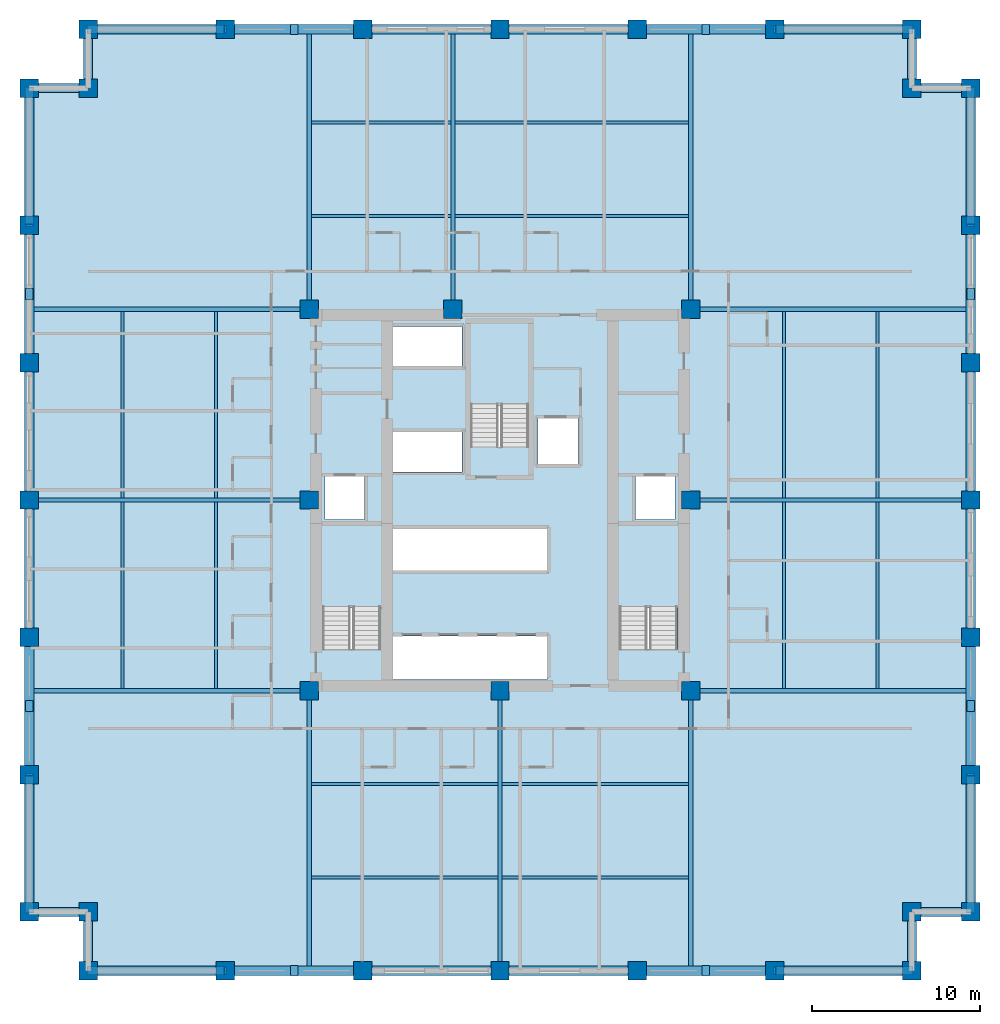
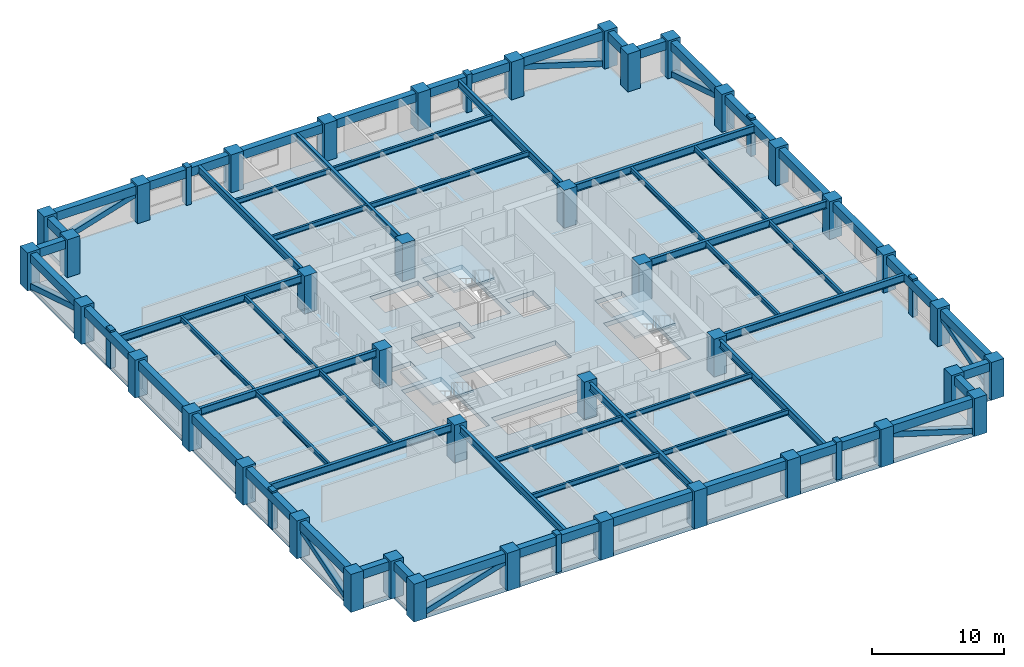
# One storey, part 1 of 8: 60 beams, 40 columns, 16 members, 4 slabs, 3 elements without a shape of their own.
"""IFC4 building model written with IfcOpenShell, lengths in metres."""

from ifc_helpers import new_model, si_unit, direction, frame, origin, origin_2d, place, context, subcontext, project, spatial, polyline, rectangle, hollow_rectangle, i_section, outline, extrude, material, layer, layer_set, material_profile, profile_set, type_object, element, aggregate, save


model = new_model("IFC4")

# Units and contexts
model_context = context("Model", 3, precision=1e-05, world=origin(), true_north=direction((0.0, 1.0)))
body_context = subcontext(model_context, "Body", "Model", "MODEL_VIEW")
ifc_project = project(units=[si_unit("LENGTHUNIT", "METRE"), si_unit("AREAUNIT", "SQUARE_METRE"), si_unit("VOLUMEUNIT", "CUBIC_METRE"), si_unit("PLANEANGLEUNIT", "RADIAN"), si_unit("MASSUNIT", "GRAM", prefix="KILO")], contexts=[model_context])

# Site, building, storey
site_placement = place(None, origin())
site = spatial("IfcSite", under=ifc_project, at=site_placement, CompositionType="ELEMENT")
building_placement = place(site_placement, origin())
building = spatial("IfcBuilding", under=site, at=building_placement, Name="Nhamokura Convention Tower", CompositionType="ELEMENT")
storey_placement = place(building_placement, frame((0.0, 0.0, 42.35009765625)))
storey = spatial("IfcBuildingStorey", under=building, at=storey_placement, Name="L08", CompositionType="ELEMENT", Elevation=42.35009765625)

# Columns
ifc_material_1 = material(Name="Concrete C60/75", Category="concrete")
ifc_material_profile_1 = material_profile(ifc_material_1, rectangle(XDim=1.10009765625, YDim=1.10009765625, at=origin_2d()))
ifc_profile_set_1 = profile_set([ifc_material_profile_1], Name="Concrete C60/75")
column_type = type_object("IfcColumnType", Name="TubeColumn_Z1_1100", PredefinedType="COLUMN", material=ifc_profile_set_1)
for number, where, z_axis, x_axis, name in (
    (1, (20.64990234375, 20.64990234375, 0.0), (0.0, 0.0, 1.0), (1.0, 0.0, 0.0), "L08 Core Column CC-SW"),
    (2, (32.0, 20.64990234375, 0.0), (0.0, 0.0, 1.0), (1.0, 0.0, 0.0), "L08 Core Column CC-S"),
    (3, (43.35009765625, 20.64990234375, 0.0), (0.0, 0.0, 1.0), (1.0, 0.0, 0.0), "L08 Core Column CC-SE"),
    (4, (43.35009765625, 32.0, 0.0), (0.0, 0.0, 1.0), (1.0, 0.0, 0.0), "L08 Core Column CC-E"),
    (5, (43.35009765625, 43.35009765625, 0.0), (0.0, 0.0, 1.0), (1.0, 0.0, 0.0), "L08 Core Column CC-NE"),
    (6, (29.199951171875, 43.35009765625, 0.0), (0.0, 0.0, 1.0), (1.0, 0.0, 0.0), "L08 Core Column CC-N"),
    (7, (20.64990234375, 43.35009765625, 0.0), (0.0, 0.0, 1.0), (1.0, 0.0, 0.0), "L08 Core Column CC-NW"),
    (8, (20.64990234375, 32.0, 0.0), (0.0, 0.0, 1.0), (1.0, 0.0, 0.0), "L08 Core Column CC-W"),
    (9, (7.5, 4.0, 0.0), (0.0, 0.0, 1.0), (1.0, 0.0, 0.0), "L08 Perimeter Tube Column SW1"),
    (10, (7.5, 7.5, 0.0), (0.0, 0.0, 1.0), (1.0, 0.0, 0.0), "L08 Perimeter Tube Column SW0"),
    (11, (4.0, 7.5, 0.0), (0.0, 0.0, 1.0), (1.0, 0.0, 0.0), "L08 Perimeter Tube Column SW2"),
    (12, (56.5, 4.0, 0.0), (0.0, 0.0, 1.0), (1.0, 0.0, 0.0), "L08 Perimeter Tube Column SE1"),
    (13, (56.5, 7.5, 0.0), (0.0, 0.0, 1.0), (1.0, 0.0, 0.0), "L08 Perimeter Tube Column SE0"),
    (14, (60.0, 7.5, 0.0), (0.0, 0.0, 1.0), (1.0, 0.0, 0.0), "L08 Perimeter Tube Column SE2"),
    (15, (60.0, 56.5, 0.0), (0.0, 0.0, 1.0), (1.0, 0.0, 0.0), "L08 Perimeter Tube Column NE1"),
    (16, (56.5, 56.5, 0.0), (0.0, 0.0, 1.0), (1.0, 0.0, 0.0), "L08 Perimeter Tube Column NE0"),
    (17, (56.5, 60.0, 0.0), (0.0, 0.0, 1.0), (1.0, 0.0, 0.0), "L08 Perimeter Tube Column NE2"),
    (18, (7.5, 60.0, 0.0), (0.0, 0.0, 1.0), (1.0, 0.0, 0.0), "L08 Perimeter Tube Column NW1"),
    (19, (7.5, 56.5, 0.0), (0.0, 0.0, 1.0), (1.0, 0.0, 0.0), "L08 Perimeter Tube Column NW0"),
    (20, (4.0, 56.5, 0.0), (0.0, 0.0, 1.0), (1.0, 0.0, 0.0), "L08 Perimeter Tube Column NW2"),
    (21, (15.666748046875, 4.0, 0.0), (0.0, 0.0, 1.0), (1.0, 0.0, 0.0), "L08 Perimeter Tube Column S1"),
    (22, (15.666748046875, 60.0, 0.0), (0.0, 0.0, 1.0), (1.0, 0.0, 0.0), "L08 Perimeter Tube Column N1"),
    (23, (4.0, 15.666748046875, 0.0), (0.0, 0.0, 1.0), (1.0, 0.0, 0.0), "L08 Perimeter Tube Column W1"),
    (24, (60.0, 15.666748046875, 0.0), (0.0, 0.0, 1.0), (1.0, 0.0, 0.0), "L08 Perimeter Tube Column E1"),
    (25, (23.833251953125, 4.0, 0.0), (0.0, 0.0, 1.0), (1.0, 0.0, 0.0), "L08 Perimeter Tube Column S2"),
    (26, (23.833251953125, 60.0, 0.0), (0.0, 0.0, 1.0), (1.0, 0.0, 0.0), "L08 Perimeter Tube Column N2"),
    (27, (4.0, 23.833251953125, 0.0), (0.0, 0.0, 1.0), (1.0, 0.0, 0.0), "L08 Perimeter Tube Column W2"),
    (28, (60.0, 23.833251953125, 0.0), (0.0, 0.0, 1.0), (1.0, 0.0, 0.0), "L08 Perimeter Tube Column E2"),
    (29, (32.0, 4.0, 0.0), (0.0, 0.0, 1.0), (1.0, 0.0, 0.0), "L08 Perimeter Tube Column S3"),
    (30, (32.0, 60.0, 0.0), (0.0, 0.0, 1.0), (1.0, 0.0, 0.0), "L08 Perimeter Tube Column N3"),
    (31, (4.0, 32.0, 0.0), (0.0, 0.0, 1.0), (1.0, 0.0, 0.0), "L08 Perimeter Tube Column W3"),
    (32, (60.0, 32.0, 0.0), (0.0, 0.0, 1.0), (1.0, 0.0, 0.0), "L08 Perimeter Tube Column E3"),
    (33, (40.166748046875, 4.0, 0.0), (0.0, 0.0, 1.0), (1.0, 0.0, 0.0), "L08 Perimeter Tube Column S4"),
    (34, (40.166748046875, 60.0, 0.0), (0.0, 0.0, 1.0), (1.0, 0.0, 0.0), "L08 Perimeter Tube Column N4"),
    (35, (4.0, 40.166748046875, 0.0), (0.0, 0.0, 1.0), (1.0, 0.0, 0.0), "L08 Perimeter Tube Column W4"),
    (36, (60.0, 40.166748046875, 0.0), (0.0, 0.0, 1.0), (1.0, 0.0, 0.0), "L08 Perimeter Tube Column E4"),
    (37, (48.333251953125, 4.0, 0.0), (0.0, 0.0, 1.0), (1.0, 0.0, 0.0), "L08 Perimeter Tube Column S5"),
    (38, (48.333251953125, 60.0, 0.0), (0.0, 0.0, 1.0), (1.0, 0.0, 0.0), "L08 Perimeter Tube Column N5"),
    (39, (4.0, 48.333251953125, 0.0), (0.0, 0.0, 1.0), (1.0, 0.0, 0.0), "L08 Perimeter Tube Column W5"),
    (40, (60.0, 48.333251953125, 0.0), (0.0, 0.0, 1.0), (1.0, 0.0, 0.0), "L08 Perimeter Tube Column E5"),
):
    element("IfcColumn", number, at=place(storey_placement, frame(where, z_axis=z_axis, x_axis=x_axis)), inside=storey, type_object=column_type, Name=name, PredefinedType="COLUMN", context=body_context, shape_type="SweptSolid", body=[
        extrude(rectangle(XDim=1.10009765625, YDim=1.10009765625, at=origin_2d()), origin(), (0.0, 0.0, 1.0), 3.5),
    ])

# Members
ifc_material_2 = material(Name="Bronze-pigmented precast concrete C45/55", Category="concrete")
ifc_material_profile_2 = material_profile(ifc_material_2, rectangle(XDim=0.449951171875, YDim=0.64990234375, at=origin_2d()))
ifc_profile_set_2 = profile_set([ifc_material_profile_2], Name="Bronze-pigmented precast concrete C45/55")
member_type_1 = type_object("IfcMemberType", Name="BronzePilaster_650", PredefinedType="USERDEFINED", material=ifc_profile_set_2)
for number, where, z_axis, x_axis, name in (
    (41, (19.75, 4.0, 0.0), (0.0, 0.0, 1.0), (1.0, 0.0, 0.0), "L08 Engaged Frame Pilaster SOUTH 1"),
    (42, (44.25, 4.0, 0.0), (0.0, 0.0, 1.0), (1.0, 0.0, 0.0), "L08 Engaged Frame Pilaster SOUTH 4"),
    (43, (19.75, 60.0, 0.0), (0.0, 0.0, 1.0), (1.0, 0.0, 0.0), "L08 Engaged Frame Pilaster NORTH 1"),
    (44, (44.25, 60.0, 0.0), (0.0, 0.0, 1.0), (1.0, 0.0, 0.0), "L08 Engaged Frame Pilaster NORTH 4"),
    (45, (4.0, 19.75, 0.0), (0.0, 0.0, 1.0), (1.0, 0.0, 0.0), "L08 Engaged Frame Pilaster WEST 1"),
    (46, (4.0, 44.25, 0.0), (0.0, 0.0, 1.0), (1.0, 0.0, 0.0), "L08 Engaged Frame Pilaster WEST 4"),
    (47, (60.0, 19.75, 0.0), (0.0, 0.0, 1.0), (1.0, 0.0, 0.0), "L08 Engaged Frame Pilaster EAST 1"),
    (48, (60.0, 44.25, 0.0), (0.0, 0.0, 1.0), (1.0, 0.0, 0.0), "L08 Engaged Frame Pilaster EAST 4"),
):
    element("IfcMember", number, at=place(storey_placement, frame(where, z_axis=z_axis, x_axis=x_axis)), inside=storey, type_object=member_type_1, Name=name, ObjectType="PILASTER_TRIM", PredefinedType="USERDEFINED", context=body_context, shape_type="SweptSolid", body=[
        extrude(rectangle(XDim=0.449951171875, YDim=0.64990234375, at=origin_2d()), origin(), (0.0, 0.0, 1.0), 3.5),
    ])

# Beams
ifc_material_3 = material(Name="Steel ASTM A992 Gr 50", Category="steel")
ifc_material_profile_3 = material_profile(ifc_material_3, i_section(OverallWidth=0.18994140625, OverallDepth=0.45703125, WebThickness=0.009033203125, FlangeThickness=0.014404296875, at=origin_2d()))
ifc_profile_set_3 = profile_set([ifc_material_profile_3], Name="Steel ASTM A992 Gr 50")
beam_type_1 = type_object("IfcBeamType", Name="FloorJoist_W460X74", PredefinedType="JOIST", material=ifc_profile_set_3)
for number, where, z_axis, x_axis, name in (
    (49, (20.77587890625, 9.550048828125, 3.09130859375), (1.0, 0.0, 0.0), (0.0, 1.0, 0.0), "L08 Composite Floor Joist S1A"),
    (50, (32.1259765625, 9.550048828125, 3.09130859375), (1.0, 0.0, 0.0), (0.0, 1.0, 0.0), "L08 Composite Floor Joist S1B"),
    (51, (20.77587890625, 15.10009765625, 3.09130859375), (1.0, 0.0, 0.0), (0.0, 1.0, 0.0), "L08 Composite Floor Joist S2A"),
    (52, (32.1259765625, 15.10009765625, 3.09130859375), (1.0, 0.0, 0.0), (0.0, 1.0, 0.0), "L08 Composite Floor Joist S2B"),
):
    element("IfcBeam", number, at=place(storey_placement, frame(where, z_axis=z_axis, x_axis=x_axis)), inside=storey, type_object=beam_type_1, Name=name, PredefinedType="JOIST", context=body_context, shape_type="SweptSolid", body=[
        extrude(i_section(OverallWidth=0.18994140625, OverallDepth=0.45703125, WebThickness=0.009033203125, FlangeThickness=0.014404296875, at=origin_2d()), origin(), (0.0, 0.0, 1.0), 11.09814453125),
    ])
beam_1_placement = place(storey_placement, frame((20.77587890625, 48.89990234375, 3.09130859375), z_axis=(1.0, 0.0, 0.0), x_axis=(0.0, 1.0, 0.0)))
element("IfcBeam", 53, at=beam_1_placement, inside=storey, type_object=beam_type_1, Name="L08 Composite Floor Joist N1A", PredefinedType="JOIST", context=body_context, shape_type="SweptSolid", body=[
    extrude(i_section(OverallWidth=0.18994140625, OverallDepth=0.45703125, WebThickness=0.009033203125, FlangeThickness=0.014404296875, at=origin_2d()), origin(), (0.0, 0.0, 1.0), 8.298095703125),
])
beam_2_placement = place(storey_placement, frame((29.325927734375, 48.89990234375, 3.09130859375), z_axis=(1.0, 0.0, 0.0), x_axis=(0.0, 1.0, 0.0)))
element("IfcBeam", 54, at=beam_2_placement, inside=storey, type_object=beam_type_1, Name="L08 Composite Floor Joist N1B", PredefinedType="JOIST", context=body_context, shape_type="SweptSolid", body=[
    extrude(i_section(OverallWidth=0.18994140625, OverallDepth=0.45703125, WebThickness=0.009033203125, FlangeThickness=0.014404296875, at=origin_2d()), origin(), (0.0, 0.0, 1.0), 13.898193359375),
])
beam_3_placement = place(storey_placement, frame((20.77587890625, 54.449951171875, 3.09130859375), z_axis=(1.0, 0.0, 0.0), x_axis=(0.0, 1.0, 0.0)))
element("IfcBeam", 55, at=beam_3_placement, inside=storey, type_object=beam_type_1, Name="L08 Composite Floor Joist N2A", PredefinedType="JOIST", context=body_context, shape_type="SweptSolid", body=[
    extrude(i_section(OverallWidth=0.18994140625, OverallDepth=0.45703125, WebThickness=0.009033203125, FlangeThickness=0.014404296875, at=origin_2d()), origin(), (0.0, 0.0, 1.0), 8.298095703125),
])
beam_4_placement = place(storey_placement, frame((29.325927734375, 54.449951171875, 3.09130859375), z_axis=(1.0, 0.0, 0.0), x_axis=(0.0, 1.0, 0.0)))
element("IfcBeam", 56, at=beam_4_placement, inside=storey, type_object=beam_type_1, Name="L08 Composite Floor Joist N2B", PredefinedType="JOIST", context=body_context, shape_type="SweptSolid", body=[
    extrude(i_section(OverallWidth=0.18994140625, OverallDepth=0.45703125, WebThickness=0.009033203125, FlangeThickness=0.014404296875, at=origin_2d()), origin(), (0.0, 0.0, 1.0), 13.898193359375),
])
for number, where, z_axis, x_axis, name in (
    (57, (9.550048828125, 20.77587890625, 3.09130859375), (0.0, 1.0, 0.0), (-1.0, 0.0, 0.0), "L08 Composite Floor Joist W1A"),
    (58, (9.550048828125, 32.1259765625, 3.09130859375), (0.0, 1.0, 0.0), (-1.0, 0.0, 0.0), "L08 Composite Floor Joist W1B"),
    (59, (15.10009765625, 20.77587890625, 3.09130859375), (0.0, 1.0, 0.0), (-1.0, 0.0, 0.0), "L08 Composite Floor Joist W2A"),
    (60, (15.10009765625, 32.1259765625, 3.09130859375), (0.0, 1.0, 0.0), (-1.0, 0.0, 0.0), "L08 Composite Floor Joist W2B"),
    (61, (48.89990234375, 20.77587890625, 3.09130859375), (0.0, 1.0, 0.0), (-1.0, 0.0, 0.0), "L08 Composite Floor Joist E1A"),
    (62, (48.89990234375, 32.1259765625, 3.09130859375), (0.0, 1.0, 0.0), (-1.0, 0.0, 0.0), "L08 Composite Floor Joist E1B"),
    (63, (54.449951171875, 20.77587890625, 3.09130859375), (0.0, 1.0, 0.0), (-1.0, 0.0, 0.0), "L08 Composite Floor Joist E2A"),
    (64, (54.449951171875, 32.1259765625, 3.09130859375), (0.0, 1.0, 0.0), (-1.0, 0.0, 0.0), "L08 Composite Floor Joist E2B"),
):
    element("IfcBeam", number, at=place(storey_placement, frame(where, z_axis=z_axis, x_axis=x_axis)), inside=storey, type_object=beam_type_1, Name=name, PredefinedType="JOIST", context=body_context, shape_type="SweptSolid", body=[
        extrude(i_section(OverallWidth=0.18994140625, OverallDepth=0.45703125, WebThickness=0.009033203125, FlangeThickness=0.014404296875, at=origin_2d()), origin(), (0.0, 0.0, 1.0), 11.09814453125),
    ])
ifc_material_4 = material(Name="Steel ASTM A992 Gr 50", Category="steel")
ifc_material_profile_4 = material_profile(ifc_material_4, i_section(OverallWidth=0.256103515625, OverallDepth=0.693115234375, WebThickness=0.014404296875, FlangeThickness=0.023681640625, at=origin_2d()))
ifc_profile_set_4 = profile_set([ifc_material_profile_4], Name="Steel ASTM A992 Gr 50")
beam_type_2 = type_object("IfcBeamType", Name="PrimaryGirder_W690X170", PredefinedType="BEAM", material=ifc_profile_set_4)
for number, where, z_axis, x_axis, name in (
    (65, (20.64990234375, 4.0, 2.973388671875), (0.0, 1.0, 0.0), (-1.0, 0.0, 0.0), "L08 Primary Floor Girder PG-S1"),
    (66, (32.0, 4.0, 2.973388671875), (0.0, 1.0, 0.0), (-1.0, 0.0, 0.0), "L08 Primary Floor Girder PG-S2"),
    (67, (43.35009765625, 4.0, 2.973388671875), (0.0, 1.0, 0.0), (-1.0, 0.0, 0.0), "L08 Primary Floor Girder PG-S3"),
    (68, (20.64990234375, 43.35009765625, 2.973388671875), (0.0, 1.0, 0.0), (-1.0, 0.0, 0.0), "L08 Primary Floor Girder PG-N1"),
    (69, (29.199951171875, 43.35009765625, 2.973388671875), (0.0, 1.0, 0.0), (-1.0, 0.0, 0.0), "L08 Primary Floor Girder PG-N2"),
    (70, (43.35009765625, 43.35009765625, 2.973388671875), (0.0, 1.0, 0.0), (-1.0, 0.0, 0.0), "L08 Primary Floor Girder PG-N3"),
    (71, (4.0, 20.64990234375, 2.973388671875), (1.0, 0.0, 0.0), (0.0, 1.0, 0.0), "L08 Primary Floor Girder PG-W1"),
    (72, (4.0, 32.0, 2.973388671875), (1.0, 0.0, 0.0), (0.0, 1.0, 0.0), "L08 Primary Floor Girder PG-W2"),
    (73, (4.0, 43.35009765625, 2.973388671875), (1.0, 0.0, 0.0), (0.0, 1.0, 0.0), "L08 Primary Floor Girder PG-W3"),
    (74, (43.35009765625, 20.64990234375, 2.973388671875), (1.0, 0.0, 0.0), (0.0, 1.0, 0.0), "L08 Primary Floor Girder PG-E1"),
    (75, (43.35009765625, 32.0, 2.973388671875), (1.0, 0.0, 0.0), (0.0, 1.0, 0.0), "L08 Primary Floor Girder PG-E2"),
    (76, (43.35009765625, 43.35009765625, 2.973388671875), (1.0, 0.0, 0.0), (0.0, 1.0, 0.0), "L08 Primary Floor Girder PG-E3"),
):
    element("IfcBeam", number, at=place(storey_placement, frame(where, z_axis=z_axis, x_axis=x_axis)), inside=storey, type_object=beam_type_2, Name=name, PredefinedType="BEAM", context=body_context, shape_type="SweptSolid", body=[
        extrude(i_section(OverallWidth=0.256103515625, OverallDepth=0.693115234375, WebThickness=0.014404296875, FlangeThickness=0.023681640625, at=origin_2d()), origin(), (0.0, 0.0, 1.0), 16.64990234375),
    ])

# Members
ifc_material_5 = material(Name="Steel ASTM A572 Gr 50", Category="steel")
ifc_material_profile_5 = material_profile(ifc_material_5, hollow_rectangle(XDim=0.5, YDim=0.5, WallThickness=0.02490234375, at=origin_2d()))
ifc_profile_set_5 = profile_set([ifc_material_profile_5], Name="Steel ASTM A572 Gr 50")
member_type_2 = type_object("IfcMemberType", Name="TubeBrace_HSS500", PredefinedType="BRACE", material=ifc_profile_set_5)
for number, where, z_axis, x_axis, name in (
    (77, (7.5, 4.0, 0.14990234375), (0.955542765986, 0.0, 0.294852543437), (0.0, 1.0, 0.0), "L08 Perimeter Tube Brace SOUTH Bay 0"),
    (78, (56.5, 4.0, 0.14990234375), (-0.955542765986, 0.0, 0.294852543437), (0.0, -1.0, 0.0), "L08 Perimeter Tube Brace SOUTH Bay 5"),
    (79, (7.5, 60.0, 0.14990234375), (0.955542765986, 0.0, 0.294852543437), (0.0, 1.0, 0.0), "L08 Perimeter Tube Brace NORTH Bay 0"),
    (80, (56.5, 60.0, 0.14990234375), (-0.955542765986, 0.0, 0.294852543437), (0.0, -1.0, 0.0), "L08 Perimeter Tube Brace NORTH Bay 5"),
    (81, (4.0, 7.5, 0.14990234375), (0.0, 0.955542765986, 0.294852543437), (-1.0, 0.0, 0.0), "L08 Perimeter Tube Brace WEST Bay 0"),
    (82, (4.0, 56.5, 0.14990234375), (0.0, -0.955542765986, 0.294852543437), (1.0, 0.0, 0.0), "L08 Perimeter Tube Brace WEST Bay 5"),
    (83, (60.0, 7.5, 0.14990234375), (0.0, 0.955542765986, 0.294852543437), (-1.0, 0.0, 0.0), "L08 Perimeter Tube Brace EAST Bay 0"),
    (84, (60.0, 56.5, 0.14990234375), (0.0, -0.955542765986, 0.294852543437), (1.0, 0.0, 0.0), "L08 Perimeter Tube Brace EAST Bay 5"),
):
    element("IfcMember", number, at=place(storey_placement, frame(where, z_axis=z_axis, x_axis=x_axis)), inside=storey, type_object=member_type_2, Name=name, PredefinedType="BRACE", context=body_context, shape_type="SweptSolid", body=[
        extrude(hollow_rectangle(XDim=0.5, YDim=0.5, WallThickness=0.02490234375, at=origin_2d()), origin(), (0.0, 0.0, 1.0), 8.546630859375),
    ])

# Beams
ifc_material_6 = material(Name="Concrete C50/60", Category="concrete")
ifc_material_profile_6 = material_profile(ifc_material_6, rectangle(XDim=0.550048828125, YDim=0.800048828125, at=origin_2d()))
ifc_profile_set_6 = profile_set([ifc_material_profile_6], Name="Concrete C50/60")
beam_type_3 = type_object("IfcBeamType", Name="TubeSpandrel_800", PredefinedType="SPANDREL", material=ifc_profile_set_6)
beam_5_placement = place(storey_placement, frame((7.5, 4.0, 2.919921875), z_axis=(1.0, 0.0, 0.0), x_axis=(0.0, 1.0, 0.0)))
element("IfcBeam", 85, at=beam_5_placement, inside=storey, type_object=beam_type_3, Name="L08 Perimeter Spandrel SOUTH 1", PredefinedType="SPANDREL", context=body_context, shape_type="SweptSolid", body=[
    extrude(rectangle(XDim=0.550048828125, YDim=0.800048828125, at=origin_2d()), origin(), (0.0, 0.0, 1.0), 8.166748046875),
])
beam_6_placement = place(storey_placement, frame((15.666748046875, 4.0, 2.919921875), z_axis=(1.0, 0.0, 0.0), x_axis=(0.0, 1.0, 0.0)))
element("IfcBeam", 86, at=beam_6_placement, inside=storey, type_object=beam_type_3, Name="L08 Perimeter Spandrel SOUTH 2", PredefinedType="SPANDREL", context=body_context, shape_type="SweptSolid", body=[
    extrude(rectangle(XDim=0.550048828125, YDim=0.800048828125, at=origin_2d()), origin(), (0.0, 0.0, 1.0), 8.16650390625),
])
for number, where, z_axis, x_axis, name in (
    (87, (23.833251953125, 4.0, 2.919921875), (1.0, 0.0, 0.0), (0.0, 1.0, 0.0), "L08 Perimeter Spandrel SOUTH 3"),
    (88, (32.0, 4.0, 2.919921875), (1.0, 0.0, 0.0), (0.0, 1.0, 0.0), "L08 Perimeter Spandrel SOUTH 4"),
):
    element("IfcBeam", number, at=place(storey_placement, frame(where, z_axis=z_axis, x_axis=x_axis)), inside=storey, type_object=beam_type_3, Name=name, PredefinedType="SPANDREL", context=body_context, shape_type="SweptSolid", body=[
        extrude(rectangle(XDim=0.550048828125, YDim=0.800048828125, at=origin_2d()), origin(), (0.0, 0.0, 1.0), 8.166748046875),
    ])
beam_7_placement = place(storey_placement, frame((40.166748046875, 4.0, 2.919921875), z_axis=(1.0, 0.0, 0.0), x_axis=(0.0, 1.0, 0.0)))
element("IfcBeam", 89, at=beam_7_placement, inside=storey, type_object=beam_type_3, Name="L08 Perimeter Spandrel SOUTH 5", PredefinedType="SPANDREL", context=body_context, shape_type="SweptSolid", body=[
    extrude(rectangle(XDim=0.550048828125, YDim=0.800048828125, at=origin_2d()), origin(), (0.0, 0.0, 1.0), 8.16650390625),
])
for number, where, z_axis, x_axis, name in (
    (90, (48.333251953125, 4.0, 2.919921875), (1.0, 0.0, 0.0), (0.0, 1.0, 0.0), "L08 Perimeter Spandrel SOUTH 6"),
    (91, (7.5, 60.0, 2.919921875), (1.0, 0.0, 0.0), (0.0, 1.0, 0.0), "L08 Perimeter Spandrel NORTH 1"),
):
    element("IfcBeam", number, at=place(storey_placement, frame(where, z_axis=z_axis, x_axis=x_axis)), inside=storey, type_object=beam_type_3, Name=name, PredefinedType="SPANDREL", context=body_context, shape_type="SweptSolid", body=[
        extrude(rectangle(XDim=0.550048828125, YDim=0.800048828125, at=origin_2d()), origin(), (0.0, 0.0, 1.0), 8.166748046875),
    ])
beam_8_placement = place(storey_placement, frame((15.666748046875, 60.0, 2.919921875), z_axis=(1.0, 0.0, 0.0), x_axis=(0.0, 1.0, 0.0)))
element("IfcBeam", 92, at=beam_8_placement, inside=storey, type_object=beam_type_3, Name="L08 Perimeter Spandrel NORTH 2", PredefinedType="SPANDREL", context=body_context, shape_type="SweptSolid", body=[
    extrude(rectangle(XDim=0.550048828125, YDim=0.800048828125, at=origin_2d()), origin(), (0.0, 0.0, 1.0), 8.16650390625),
])
for number, where, z_axis, x_axis, name in (
    (93, (23.833251953125, 60.0, 2.919921875), (1.0, 0.0, 0.0), (0.0, 1.0, 0.0), "L08 Perimeter Spandrel NORTH 3"),
    (94, (32.0, 60.0, 2.919921875), (1.0, 0.0, 0.0), (0.0, 1.0, 0.0), "L08 Perimeter Spandrel NORTH 4"),
):
    element("IfcBeam", number, at=place(storey_placement, frame(where, z_axis=z_axis, x_axis=x_axis)), inside=storey, type_object=beam_type_3, Name=name, PredefinedType="SPANDREL", context=body_context, shape_type="SweptSolid", body=[
        extrude(rectangle(XDim=0.550048828125, YDim=0.800048828125, at=origin_2d()), origin(), (0.0, 0.0, 1.0), 8.166748046875),
    ])
beam_9_placement = place(storey_placement, frame((40.166748046875, 60.0, 2.919921875), z_axis=(1.0, 0.0, 0.0), x_axis=(0.0, 1.0, 0.0)))
element("IfcBeam", 95, at=beam_9_placement, inside=storey, type_object=beam_type_3, Name="L08 Perimeter Spandrel NORTH 5", PredefinedType="SPANDREL", context=body_context, shape_type="SweptSolid", body=[
    extrude(rectangle(XDim=0.550048828125, YDim=0.800048828125, at=origin_2d()), origin(), (0.0, 0.0, 1.0), 8.16650390625),
])
for number, where, z_axis, x_axis, name in (
    (96, (48.333251953125, 60.0, 2.919921875), (1.0, 0.0, 0.0), (0.0, 1.0, 0.0), "L08 Perimeter Spandrel NORTH 6"),
    (97, (4.0, 7.5, 2.919921875), (0.0, 1.0, 0.0), (-1.0, 0.0, 0.0), "L08 Perimeter Spandrel WEST 1"),
):
    element("IfcBeam", number, at=place(storey_placement, frame(where, z_axis=z_axis, x_axis=x_axis)), inside=storey, type_object=beam_type_3, Name=name, PredefinedType="SPANDREL", context=body_context, shape_type="SweptSolid", body=[
        extrude(rectangle(XDim=0.550048828125, YDim=0.800048828125, at=origin_2d()), origin(), (0.0, 0.0, 1.0), 8.166748046875),
    ])
beam_10_placement = place(storey_placement, frame((4.0, 15.666748046875, 2.919921875), z_axis=(0.0, 1.0, 0.0), x_axis=(-1.0, 0.0, 0.0)))
element("IfcBeam", 98, at=beam_10_placement, inside=storey, type_object=beam_type_3, Name="L08 Perimeter Spandrel WEST 2", PredefinedType="SPANDREL", context=body_context, shape_type="SweptSolid", body=[
    extrude(rectangle(XDim=0.550048828125, YDim=0.800048828125, at=origin_2d()), origin(), (0.0, 0.0, 1.0), 8.16650390625),
])
for number, where, z_axis, x_axis, name in (
    (99, (4.0, 23.833251953125, 2.919921875), (0.0, 1.0, 0.0), (-1.0, 0.0, 0.0), "L08 Perimeter Spandrel WEST 3"),
    (100, (4.0, 32.0, 2.919921875), (0.0, 1.0, 0.0), (-1.0, 0.0, 0.0), "L08 Perimeter Spandrel WEST 4"),
):
    element("IfcBeam", number, at=place(storey_placement, frame(where, z_axis=z_axis, x_axis=x_axis)), inside=storey, type_object=beam_type_3, Name=name, PredefinedType="SPANDREL", context=body_context, shape_type="SweptSolid", body=[
        extrude(rectangle(XDim=0.550048828125, YDim=0.800048828125, at=origin_2d()), origin(), (0.0, 0.0, 1.0), 8.166748046875),
    ])
beam_11_placement = place(storey_placement, frame((4.0, 40.166748046875, 2.919921875), z_axis=(0.0, 1.0, 0.0), x_axis=(-1.0, 0.0, 0.0)))
element("IfcBeam", 101, at=beam_11_placement, inside=storey, type_object=beam_type_3, Name="L08 Perimeter Spandrel WEST 5", PredefinedType="SPANDREL", context=body_context, shape_type="SweptSolid", body=[
    extrude(rectangle(XDim=0.550048828125, YDim=0.800048828125, at=origin_2d()), origin(), (0.0, 0.0, 1.0), 8.16650390625),
])
for number, where, z_axis, x_axis, name in (
    (102, (4.0, 48.333251953125, 2.919921875), (0.0, 1.0, 0.0), (-1.0, 0.0, 0.0), "L08 Perimeter Spandrel WEST 6"),
    (103, (60.0, 7.5, 2.919921875), (0.0, 1.0, 0.0), (-1.0, 0.0, 0.0), "L08 Perimeter Spandrel EAST 1"),
):
    element("IfcBeam", number, at=place(storey_placement, frame(where, z_axis=z_axis, x_axis=x_axis)), inside=storey, type_object=beam_type_3, Name=name, PredefinedType="SPANDREL", context=body_context, shape_type="SweptSolid", body=[
        extrude(rectangle(XDim=0.550048828125, YDim=0.800048828125, at=origin_2d()), origin(), (0.0, 0.0, 1.0), 8.166748046875),
    ])
beam_12_placement = place(storey_placement, frame((60.0, 15.666748046875, 2.919921875), z_axis=(0.0, 1.0, 0.0), x_axis=(-1.0, 0.0, 0.0)))
element("IfcBeam", 104, at=beam_12_placement, inside=storey, type_object=beam_type_3, Name="L08 Perimeter Spandrel EAST 2", PredefinedType="SPANDREL", context=body_context, shape_type="SweptSolid", body=[
    extrude(rectangle(XDim=0.550048828125, YDim=0.800048828125, at=origin_2d()), origin(), (0.0, 0.0, 1.0), 8.16650390625),
])
for number, where, z_axis, x_axis, name in (
    (105, (60.0, 23.833251953125, 2.919921875), (0.0, 1.0, 0.0), (-1.0, 0.0, 0.0), "L08 Perimeter Spandrel EAST 3"),
    (106, (60.0, 32.0, 2.919921875), (0.0, 1.0, 0.0), (-1.0, 0.0, 0.0), "L08 Perimeter Spandrel EAST 4"),
):
    element("IfcBeam", number, at=place(storey_placement, frame(where, z_axis=z_axis, x_axis=x_axis)), inside=storey, type_object=beam_type_3, Name=name, PredefinedType="SPANDREL", context=body_context, shape_type="SweptSolid", body=[
        extrude(rectangle(XDim=0.550048828125, YDim=0.800048828125, at=origin_2d()), origin(), (0.0, 0.0, 1.0), 8.166748046875),
    ])
beam_13_placement = place(storey_placement, frame((60.0, 40.166748046875, 2.919921875), z_axis=(0.0, 1.0, 0.0), x_axis=(-1.0, 0.0, 0.0)))
element("IfcBeam", 107, at=beam_13_placement, inside=storey, type_object=beam_type_3, Name="L08 Perimeter Spandrel EAST 5", PredefinedType="SPANDREL", context=body_context, shape_type="SweptSolid", body=[
    extrude(rectangle(XDim=0.550048828125, YDim=0.800048828125, at=origin_2d()), origin(), (0.0, 0.0, 1.0), 8.16650390625),
])
beam_14_placement = place(storey_placement, frame((60.0, 48.333251953125, 2.919921875), z_axis=(0.0, 1.0, 0.0), x_axis=(-1.0, 0.0, 0.0)))
element("IfcBeam", 108, at=beam_14_placement, inside=storey, type_object=beam_type_3, Name="L08 Perimeter Spandrel EAST 6", PredefinedType="SPANDREL", context=body_context, shape_type="SweptSolid", body=[
    extrude(rectangle(XDim=0.550048828125, YDim=0.800048828125, at=origin_2d()), origin(), (0.0, 0.0, 1.0), 8.166748046875),
])
for number, where, z_axis, x_axis, name in (
    (109, (7.5, 4.0, 2.919921875), (0.0, 1.0, 0.0), (-1.0, 0.0, 0.0), "L08 Notch Spandrel SW1"),
    (110, (7.5, 7.5, 2.919921875), (-1.0, 0.0, 0.0), (0.0, -1.0, 0.0), "L08 Notch Spandrel SW2"),
    (111, (56.5, 4.0, 2.919921875), (0.0, 1.0, 0.0), (-1.0, 0.0, 0.0), "L08 Notch Spandrel SE1"),
    (112, (56.5, 7.5, 2.919921875), (1.0, 0.0, 0.0), (0.0, 1.0, 0.0), "L08 Notch Spandrel SE2"),
    (113, (60.0, 56.5, 2.919921875), (-1.0, 0.0, 0.0), (0.0, -1.0, 0.0), "L08 Notch Spandrel NE1"),
    (114, (56.5, 56.5, 2.919921875), (0.0, 1.0, 0.0), (-1.0, 0.0, 0.0), "L08 Notch Spandrel NE2"),
    (115, (7.5, 60.0, 2.919921875), (0.0, -1.0, 0.0), (1.0, 0.0, 0.0), "L08 Notch Spandrel NW1"),
    (116, (7.5, 56.5, 2.919921875), (-1.0, 0.0, 0.0), (0.0, -1.0, 0.0), "L08 Notch Spandrel NW2"),
):
    element("IfcBeam", number, at=place(storey_placement, frame(where, z_axis=z_axis, x_axis=x_axis)), inside=storey, type_object=beam_type_3, Name=name, PredefinedType="SPANDREL", context=body_context, shape_type="SweptSolid", body=[
        extrude(rectangle(XDim=0.550048828125, YDim=0.800048828125, at=origin_2d()), origin(), (0.0, 0.0, 1.0), 3.5),
    ])

# Stair, slab
ifc_material_7 = material(Name="Concrete C40/50", Category="concrete")
stair_type = type_object("IfcStairType", Name="TowerCoreStair_1650", PredefinedType="HALF_TURN_STAIR", material=ifc_material_7)
stair_1_placement = place(storey_placement, origin())
stair_1 = element("IfcStair", 117, at=stair_1_placement, inside=storey, type_object=stair_type, Name="L08 West Core Smokeproof Stair ST-01", PredefinedType="HALF_TURN_STAIR")
ifc_material_8 = material(Name="Concrete C40/50", Category="concrete")
ifc_layer_1 = layer(ifc_material_8, 0.199951171875)
ifc_layer_set_1 = layer_set([ifc_layer_1], Name="StairLandingSlab_200")
slab_type_1 = type_object("IfcSlabType", Name="StairLandingSlab_200", PredefinedType="LANDING", material=ifc_layer_set_1)
slab_1_placement = place(storey_placement, frame((0.0, 0.0, 1.5498046875)))
slab_1 = element("IfcSlab", 118, at=slab_1_placement, type_object=slab_type_1, Name="ST-01 landing 1", PredefinedType="LANDING", context=body_context, shape_type="SweptSolid", body=[
    extrude(outline(polyline([(24.97998046875, 25.5849609375), (24.97998046875, 30.530029296875), (21.3701171875, 30.530029296875), (21.3701171875, 25.5849609375), (24.97998046875, 25.5849609375)])), origin(), (0.0, 0.0, 1.0), 0.2001953125),
])
aggregate(stair_1, [slab_1])

stair_2_placement = place(storey_placement, origin())
stair_2 = element("IfcStair", 119, at=stair_2_placement, inside=storey, type_object=stair_type, Name="L08 East Core Smokeproof Stair ST-02", PredefinedType="HALF_TURN_STAIR")
slab_2_placement = place(storey_placement, frame((0.0, 0.0, 1.5498046875)))
slab_2 = element("IfcSlab", 120, at=slab_2_placement, type_object=slab_type_1, Name="ST-02 landing 1", PredefinedType="LANDING", context=body_context, shape_type="SweptSolid", body=[
    extrude(outline(polyline([(42.6298828125, 25.5849609375), (42.6298828125, 30.530029296875), (39.02001953125, 30.530029296875), (39.02001953125, 25.5849609375), (42.6298828125, 25.5849609375)])), origin(), (0.0, 0.0, 1.0), 0.2001953125),
])
aggregate(stair_2, [slab_2])

stair_3_placement = place(storey_placement, origin())
stair_3 = element("IfcStair", 121, at=stair_3_placement, inside=storey, type_object=stair_type, Name="L08 North Core Smokeproof Stair ST-03", PredefinedType="HALF_TURN_STAIR")
slab_3_placement = place(storey_placement, frame((0.0, 0.0, 1.5498046875)))
slab_3 = element("IfcSlab", 122, at=slab_3_placement, type_object=slab_type_1, Name="ST-03 landing 1", PredefinedType="LANDING", context=body_context, shape_type="SweptSolid", body=[
    extrude(outline(polyline([(33.780029296875, 37.635009765625), (33.780029296875, 42.580078125), (30.169921875, 42.580078125), (30.169921875, 37.635009765625), (33.780029296875, 37.635009765625)])), origin(), (0.0, 0.0, 1.0), 0.2001953125),
])
aggregate(stair_3, [slab_3])

# Slab
ifc_material_9 = material(Name="Concrete C50/60", Category="concrete")
ifc_layer_2 = layer(ifc_material_9, 0.419921875)
ifc_layer_set_2 = layer_set([ifc_layer_2], Name="TransferDeckSlab_380")
slab_type_2 = type_object("IfcSlabType", Name="TransferDeckSlab_380", PredefinedType="FLOOR", material=ifc_layer_set_2)
slab_4_placement = place(storey_placement, frame((0.0, 0.0, -0.420166015625)))
element("IfcSlab", 123, at=slab_4_placement, inside=storey, type_object=slab_type_2, Name="L08 Structural Floor Slab", PredefinedType="FLOOR", context=body_context, shape_type="SweptSolid", body=[
    extrude(outline(polyline([(7.5, 4.0), (56.5, 4.0), (56.5, 7.5), (60.0, 7.5), (60.0, 56.5), (56.5, 56.5), (56.5, 60.0), (7.5, 60.0), (7.5, 56.5), (4.0, 56.5), (4.0, 7.5), (7.5, 7.5), (7.5, 4.0)]), holes=[polyline([(24.89990234375, 23.10009765625), (24.89990234375, 30.449951171875), (21.449951171875, 30.449951171875), (21.449951171875, 23.10009765625), (24.89990234375, 23.10009765625)]), polyline([(42.550048828125, 23.10009765625), (42.550048828125, 30.449951171875), (39.10009765625, 30.449951171875), (39.10009765625, 23.10009765625), (42.550048828125, 23.10009765625)]), polyline([(33.699951171875, 35.14990234375), (33.699951171875, 42.5), (30.25, 42.5), (30.25, 35.14990234375), (33.699951171875, 35.14990234375)]), polyline([(21.60009765625, 30.85009765625), (23.949951171875, 30.85009765625), (23.949951171875, 33.39990234375), (21.60009765625, 33.39990234375), (21.60009765625, 30.85009765625)]), polyline([(40.050048828125, 30.85009765625), (42.39990234375, 30.85009765625), (42.39990234375, 33.39990234375), (40.050048828125, 33.39990234375), (40.050048828125, 30.85009765625)]), polyline([(34.25, 34.14990234375), (36.64990234375, 34.14990234375), (36.64990234375, 36.85009765625), (34.25, 36.85009765625), (34.25, 34.14990234375)]), polyline([(25.52001953125, 21.320068359375), (34.800048828125, 21.320068359375), (34.800048828125, 23.89990234375), (25.52001953125, 23.89990234375), (25.52001953125, 21.320068359375)]), polyline([(25.52001953125, 27.800048828125), (34.800048828125, 27.800048828125), (34.800048828125, 30.300048828125), (25.52001953125, 30.300048828125), (25.52001953125, 27.800048828125)]), polyline([(25.52001953125, 33.679931640625), (29.75, 33.679931640625), (29.75, 36.050048828125), (25.52001953125, 36.050048828125), (25.52001953125, 33.679931640625)]), polyline([(25.52001953125, 39.949951171875), (29.75, 39.949951171875), (29.75, 42.320068359375), (25.52001953125, 42.320068359375), (25.52001953125, 39.949951171875)])]), origin(), (0.0, 0.0, 1.0), 0.420166015625),
])

save(model, "model.ifc")
